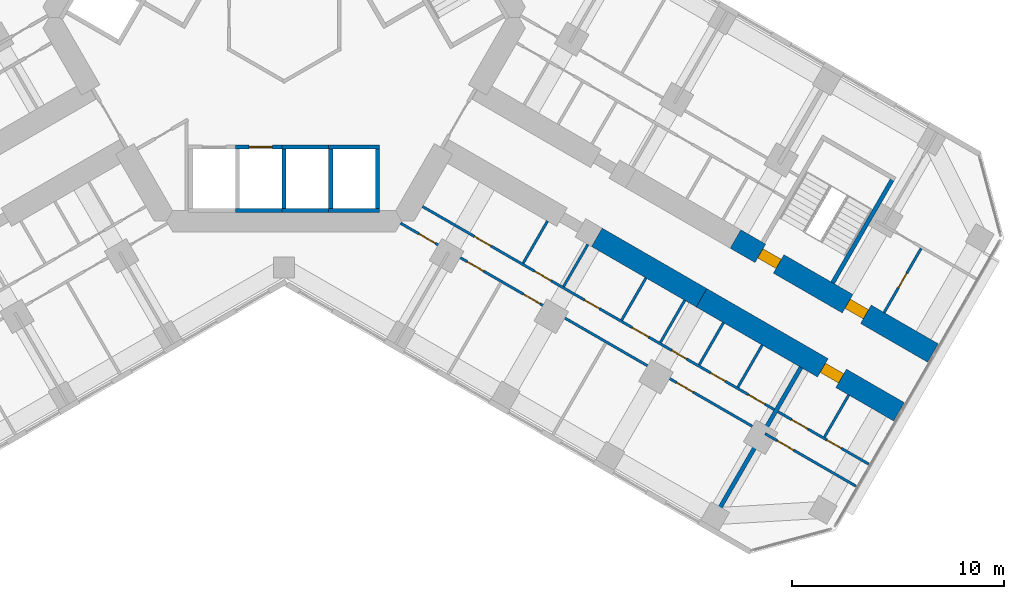
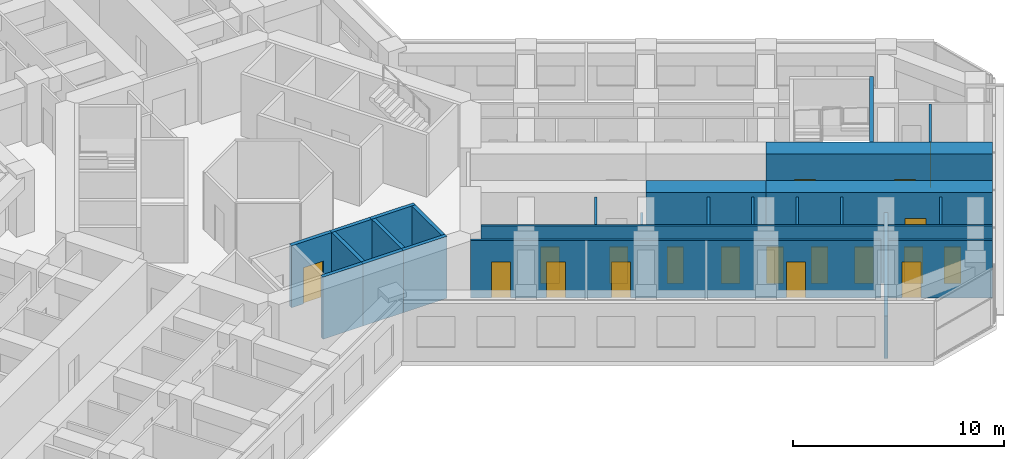
# One storey, part 14 of 21: 26 walls, 19 doors, 19 openings.
"""IFC4 building model written with IfcOpenShell, lengths in metres."""

from ifc_helpers import new_model, si_unit, direction, frame, frame_2d, origin, place, context, subcontext, project, spatial, rectangle, extrude, material, layer, layer_set, type_object, element, fill, save


model = new_model("IFC4")

# Units and contexts
model_context = context("Model", 3, precision=1e-05, world=origin(), true_north=direction((0.0, 1.0)))
body_context = subcontext(model_context, "Body", "Model", "MODEL_VIEW")
ifc_project = project(units=[si_unit("LENGTHUNIT", "METRE"), si_unit("AREAUNIT", "SQUARE_METRE"), si_unit("VOLUMEUNIT", "CUBIC_METRE"), si_unit("PLANEANGLEUNIT", "RADIAN"), si_unit("MASSUNIT", "GRAM", prefix="KILO")], contexts=[model_context])

# Site, building, storey
site_placement = place(None, origin())
site = spatial("IfcSite", under=ifc_project, at=site_placement, CompositionType="ELEMENT")
building_placement = place(site_placement, origin())
building = spatial("IfcBuilding", under=site, at=building_placement, Name="Kosmar Iwan School Tower", CompositionType="ELEMENT")
storey_placement = place(building_placement, frame((0.0, 0.0, 68.199951171875)))
storey = spatial("IfcBuildingStorey", under=building, at=storey_placement, Name="L16", CompositionType="ELEMENT", Elevation=68.199951171875)

# Wall, openings, doors
ifc_material_1 = material(Name="Concrete C50/60", Category="concrete")
ifc_layer_1 = layer(ifc_material_1, 1.0)
ifc_layer_set_1 = layer_set([ifc_layer_1], Name="Corridor buttress wall 1000")
wall_type_1 = type_object("IfcWallType", Name="Corridor buttress wall 1000", PredefinedType="SHEAR", material=ifc_layer_set_1)
wall_1_placement = place(storey_placement, frame((21.281494140625, -10.439453125, 0.0), z_axis=(0.0, 0.0, 1.0), x_axis=(0.866032345022, -0.499987977232, 0.0)))
wall_1 = element("IfcWall", 1, at=wall_1_placement, inside=storey, type_object=wall_type_1, Name="Corridor wall CL bay 3", PredefinedType="SHEAR", context=body_context, shape_type="SweptSolid", body=[
    extrude(rectangle(XDim=10.744873046875, YDim=1.0, at=frame_2d((5.37255859375, 0.0))), origin(), (0.0, 0.0, 1.0), 3.60009765625),
])
opening_1_placement = place(wall_1_placement, frame((6.10009765625, 0.0, 0.0)))
opening_1 = element("IfcOpeningElement", 2, at=opening_1_placement, cuts=wall_1, Name="Opening D1", PredefinedType="OPENING", context=body_context, shape_type="SweptSolid", body=[
    extrude(rectangle(XDim=1.0, YDim=2.10009765625, at=frame_2d((0.5, 1.050048828125))), frame((0.0, 0.511962890625, 0.0), z_axis=(0.0, -1.0, 0.0), x_axis=(1.0, 0.0, 0.0)), (0.0, 0.0, 1.0), 1.02392578125),
])
opening_2_placement = place(wall_1_placement, frame((1.35009765625, 0.0, 0.0)))
opening_2 = element("IfcOpeningElement", 3, at=opening_2_placement, cuts=wall_1, Name="Opening D6", PredefinedType="OPENING", context=body_context, shape_type="SweptSolid", body=[
    extrude(rectangle(XDim=1.0, YDim=2.10009765625, at=frame_2d((0.5, 1.050048828125))), frame((0.0, 0.511962890625, 0.0), z_axis=(0.0, -1.0, 0.0), x_axis=(1.0, 0.0, 0.0)), (0.0, 0.0, 1.0), 1.02392578125),
])
ifc_material_2 = material(Name="Timber fire door in steel frame", Category="steel")
door_type_1 = type_object("IfcDoorType", Name="Flat entrance door 1000x2100", OperationType="SINGLE_SWING_LEFT", PredefinedType="DOOR", material=ifc_material_2)
door_1_placement = place(opening_1_placement, origin())
door_1 = element("IfcDoor", 4, at=door_1_placement, inside=storey, type_object=door_type_1, Name="Flat L16-CL2 entrance door", OperationType="SINGLE_SWING_RIGHT", OverallHeight=2.10009765625, OverallWidth=1.0, PredefinedType="DOOR", context=body_context, shape_type="SweptSolid", body=[
    extrude(rectangle(XDim=1.0, YDim=2.10009765625, at=frame_2d((0.5, 1.050048828125))), frame((0.0, 0.25, 0.0), z_axis=(0.0, -1.0, 0.0), x_axis=(1.0, 0.0, 0.0)), (0.0, 0.0, 1.0), 0.5),
])
fill(opening_1, door_1)
ifc_material_3 = material(Name="Steel fire door", Category="steel")
door_type_2 = type_object("IfcDoorType", Name="Stair door 1000x2100", OperationType="SINGLE_SWING_LEFT", PredefinedType="DOOR", material=ifc_material_3)
door_2_placement = place(opening_2_placement, origin())
door_2 = element("IfcDoor", 5, at=door_2_placement, inside=storey, type_object=door_type_2, Name="Stair WS3 door L16", OperationType="SINGLE_SWING_LEFT", OverallHeight=2.10009765625, OverallWidth=1.0, PredefinedType="DOOR", context=body_context, shape_type="SweptSolid", body=[
    extrude(rectangle(XDim=1.0, YDim=2.10009765625, at=frame_2d((0.5, 1.050048828125))), frame((0.0, 0.25, 0.0), z_axis=(0.0, -1.0, 0.0), x_axis=(1.0, 0.0, 0.0)), (0.0, 0.0, 1.0), 0.5),
])
fill(opening_2, door_2)

# Wall
wall_2_placement = place(storey_placement, frame((14.7451171875, -10.360595703125, 0.0), z_axis=(0.0, 0.0, 1.0), x_axis=(0.866015111908, -0.50001782563, 0.0)))
element("IfcWall", 6, at=wall_2_placement, inside=storey, type_object=wall_type_1, Name="Corridor wall CR bay 2", PredefinedType="SHEAR", context=body_context, shape_type="SweptSolid", body=[
    extrude(rectangle(XDim=5.699951171875, YDim=1.0, at=frame_2d((2.85009765625, 0.0))), origin(), (0.0, 0.0, 1.0), 3.60009765625),
])

# Wall, opening, door
wall_3_placement = place(storey_placement, frame((19.681396484375, -13.210693359375, 0.0), z_axis=(0.0, 0.0, 1.0), x_axis=(0.866028186671, -0.499995179869, 0.0)))
wall_3 = element("IfcWall", 7, at=wall_3_placement, inside=storey, type_object=wall_type_1, Name="Corridor wall CR bay 3", PredefinedType="SHEAR", context=body_context, shape_type="SweptSolid", body=[
    extrude(rectangle(XDim=10.7451171875, YDim=1.0, at=frame_2d((5.37255859375, 0.0))), origin(), (0.0, 0.0, 1.0), 3.60009765625),
])
opening_3_placement = place(wall_3_placement, frame((6.60009765625, 0.0, 0.0)))
opening_3 = element("IfcOpeningElement", 8, at=opening_3_placement, cuts=wall_3, Name="Opening D1", PredefinedType="OPENING", context=body_context, shape_type="SweptSolid", body=[
    extrude(rectangle(XDim=1.0, YDim=2.10009765625, at=frame_2d((0.5, 1.050048828125))), frame((0.0, 0.511962890625, 0.0), z_axis=(0.0, -1.0, 0.0), x_axis=(1.0, 0.0, 0.0)), (0.0, 0.0, 1.0), 1.02392578125),
])
door_3_placement = place(opening_3_placement, origin())
door_3 = element("IfcDoor", 9, at=door_3_placement, inside=storey, type_object=door_type_1, Name="Flat L16-CR2 entrance door", OperationType="SINGLE_SWING_RIGHT", OverallHeight=2.10009765625, OverallWidth=1.0, PredefinedType="DOOR", context=body_context, shape_type="SweptSolid", body=[
    extrude(rectangle(XDim=1.0, YDim=2.10009765625, at=frame_2d((0.5, 1.050048828125))), frame((0.0, 0.25, 0.0), z_axis=(0.0, -1.0, 0.0), x_axis=(1.0, 0.0, 0.0)), (0.0, 0.0, 1.0), 0.5),
])
fill(opening_3, door_3)

ifc_material_4 = material(Name="Gypsum board on steel studs", Category="steel")
ifc_layer_2 = layer(ifc_material_4, 0.1201171875)
ifc_layer_set_2 = layer_set([ifc_layer_2], Name="Dwelling partition 120")
wall_type_2 = type_object("IfcWallType", Name="Dwelling partition 120", PredefinedType="PARTITIONING", material=ifc_layer_set_2)
wall_4_placement = place(storey_placement, frame((28.286376953125, -13.90625, 0.0), z_axis=(0.0, 0.0, 1.0), x_axis=(0.50002117804, 0.866013176292, 0.0)))
wall_4 = element("IfcWall", 10, at=wall_4_placement, inside=storey, type_object=wall_type_2, Name="Partition L16-CL2-TY", PredefinedType="PARTITIONING", context=body_context, shape_type="SweptSolid", body=[
    extrude(rectangle(XDim=3.489990234375, YDim=0.1201171875, at=frame_2d((1.7451171875, 0.0))), origin(), (0.0, 0.0, 1.0), 3.35009765625),
])
opening_4_placement = place(wall_4_placement, frame((1.344970703125, 0.0, 0.0)))
opening_4 = element("IfcOpeningElement", 11, at=opening_4_placement, cuts=wall_4, Name="Opening D3", PredefinedType="OPENING", context=body_context, shape_type="SweptSolid", body=[
    extrude(rectangle(XDim=0.800048828125, YDim=2.10009765625, at=frame_2d((0.39990234375, 1.050048828125))), frame((0.0, 0.072021484375, 0.0), z_axis=(0.0, -1.0, 0.0), x_axis=(1.0, 0.0, 0.0)), (0.0, 0.0, 1.0), 0.14404296875),
])
ifc_material_5 = material(Name="Timber door in timber frame", Category="wood")
door_type_3 = type_object("IfcDoorType", Name="Sanitary room door 800x2100", OperationType="SINGLE_SWING_LEFT", PredefinedType="DOOR", material=ifc_material_5)
door_4_placement = place(opening_4_placement, origin())
door_4 = element("IfcDoor", 12, at=door_4_placement, inside=storey, type_object=door_type_3, Name="Bathroom door L16-CL2-T4", OperationType="SINGLE_SWING_RIGHT", OverallHeight=2.10009765625, OverallWidth=0.800048828125, PredefinedType="DOOR", context=body_context, shape_type="SweptSolid", body=[
    extrude(rectangle(XDim=0.800048828125, YDim=2.10009765625, at=frame_2d((0.39990234375, 1.050048828125))), frame((0.0, 0.02490234375, 0.0), z_axis=(0.0, -1.0, 0.0), x_axis=(1.0, 0.0, 0.0)), (0.0, 0.0, 1.0), 0.050048828125),
])
fill(opening_4, door_4)

# Wall, openings, doors
wall_5_placement = place(storey_placement, frame((6.521728515625, -8.90380859375, 0.0), z_axis=(0.0, 0.0, 1.0), x_axis=(0.866027632837, -0.499996139147, 0.0)))
wall_5 = element("IfcWall", 13, at=wall_5_placement, inside=storey, type_object=wall_type_2, Name="Partition L16-CR1-W1", PredefinedType="PARTITIONING", context=body_context, shape_type="SweptSolid", body=[
    extrude(rectangle(XDim=19.150146484375, YDim=0.1201171875, at=frame_2d((9.5751953125, 0.0))), origin(), (0.0, 0.0, 1.0), 3.35009765625),
])
opening_5_placement = place(wall_5_placement, frame((2.824951171875, 0.0, 0.0)))
opening_5 = element("IfcOpeningElement", 14, at=opening_5_placement, cuts=wall_5, Name="Opening D2", PredefinedType="OPENING", context=body_context, shape_type="SweptSolid", body=[
    extrude(rectangle(XDim=0.89990234375, YDim=2.10009765625, at=frame_2d((0.449951171875, 1.050048828125))), frame((0.0, 0.072021484375, 0.0), z_axis=(0.0, -1.0, 0.0), x_axis=(1.0, 0.0, 0.0)), (0.0, 0.0, 1.0), 0.14404296875),
])
opening_6_placement = place(wall_5_placement, frame((6.10009765625, 0.0, 0.0)))
opening_6 = element("IfcOpeningElement", 15, at=opening_6_placement, cuts=wall_5, Name="Opening D2", PredefinedType="OPENING", context=body_context, shape_type="SweptSolid", body=[
    extrude(rectangle(XDim=0.89990234375, YDim=2.10009765625, at=frame_2d((0.449951171875, 1.050048828125))), frame((0.0, 0.072021484375, 0.0), z_axis=(0.0, -1.0, 0.0), x_axis=(1.0, 0.0, 0.0)), (0.0, 0.0, 1.0), 0.14404296875),
])
opening_7_placement = place(wall_5_placement, frame((8.831787109375, 0.0, 0.0)))
opening_7 = element("IfcOpeningElement", 16, at=opening_7_placement, cuts=wall_5, Name="Opening D3", PredefinedType="OPENING", context=body_context, shape_type="SweptSolid", body=[
    extrude(rectangle(XDim=0.800048828125, YDim=2.10009765625, at=frame_2d((0.39990234375, 1.050048828125))), frame((0.0, 0.072021484375, 0.0), z_axis=(0.0, -1.0, 0.0), x_axis=(1.0, 0.0, 0.0)), (0.0, 0.0, 1.0), 0.14404296875),
])
opening_8_placement = place(wall_5_placement, frame((11.418212890625, 0.0, 0.0)))
opening_8 = element("IfcOpeningElement", 17, at=opening_8_placement, cuts=wall_5, Name="Opening D2", PredefinedType="OPENING", context=body_context, shape_type="SweptSolid", body=[
    extrude(rectangle(XDim=0.89990234375, YDim=2.10009765625, at=frame_2d((0.449951171875, 1.050048828125))), frame((0.0, 0.072021484375, 0.0), z_axis=(0.0, -1.0, 0.0), x_axis=(1.0, 0.0, 0.0)), (0.0, 0.0, 1.0), 0.14404296875),
])
opening_9_placement = place(wall_5_placement, frame((13.577392578125, 0.0, 0.0)))
opening_9 = element("IfcOpeningElement", 18, at=opening_9_placement, cuts=wall_5, Name="Opening D3", PredefinedType="OPENING", context=body_context, shape_type="SweptSolid", body=[
    extrude(rectangle(XDim=0.800048828125, YDim=2.10009765625, at=frame_2d((0.39990234375, 1.050048828125))), frame((0.0, 0.072021484375, 0.0), z_axis=(0.0, -1.0, 0.0), x_axis=(1.0, 0.0, 0.0)), (0.0, 0.0, 1.0), 0.14404296875),
])
opening_10_placement = place(wall_5_placement, frame((15.686279296875, 0.0, 0.0)))
opening_10 = element("IfcOpeningElement", 19, at=opening_10_placement, cuts=wall_5, Name="Opening D3", PredefinedType="OPENING", context=body_context, shape_type="SweptSolid", body=[
    extrude(rectangle(XDim=0.800048828125, YDim=2.10009765625, at=frame_2d((0.39990234375, 1.050048828125))), frame((0.0, 0.072021484375, 0.0), z_axis=(0.0, -1.0, 0.0), x_axis=(1.0, 0.0, 0.0)), (0.0, 0.0, 1.0), 0.14404296875),
])
opening_11_placement = place(wall_5_placement, frame((17.745361328125, 0.0, 0.0)))
opening_11 = element("IfcOpeningElement", 20, at=opening_11_placement, cuts=wall_5, Name="Opening D2", PredefinedType="OPENING", context=body_context, shape_type="SweptSolid", body=[
    extrude(rectangle(XDim=0.89990234375, YDim=2.10009765625, at=frame_2d((0.449951171875, 1.050048828125))), frame((0.0, 0.072021484375, 0.0), z_axis=(0.0, -1.0, 0.0), x_axis=(1.0, 0.0, 0.0)), (0.0, 0.0, 1.0), 0.14404296875),
])
ifc_material_6 = material(Name="Timber door in timber frame", Category="wood")
door_type_4 = type_object("IfcDoorType", Name="Internal door 900x2100", OperationType="SINGLE_SWING_LEFT", PredefinedType="DOOR", material=ifc_material_6)
door_5_placement = place(opening_5_placement, origin())
door_5 = element("IfcDoor", 21, at=door_5_placement, inside=storey, type_object=door_type_4, Name="Utility room door L16-CR1-S1", OperationType="SINGLE_SWING_RIGHT", OverallHeight=2.10009765625, OverallWidth=0.89990234375, PredefinedType="DOOR", context=body_context, shape_type="SweptSolid", body=[
    extrude(rectangle(XDim=0.89990234375, YDim=2.10009765625, at=frame_2d((0.449951171875, 1.050048828125))), frame((0.0, 0.02490234375, 0.0), z_axis=(0.0, -1.0, 0.0), x_axis=(1.0, 0.0, 0.0)), (0.0, 0.0, 1.0), 0.050048828125),
])
fill(opening_5, door_5)
door_6_placement = place(opening_6_placement, origin())
door_6 = element("IfcDoor", 22, at=door_6_placement, inside=storey, type_object=door_type_4, Name="Entrance hall door L16-CR1-S2", OperationType="SINGLE_SWING_RIGHT", OverallHeight=2.10009765625, OverallWidth=0.89990234375, PredefinedType="DOOR", context=body_context, shape_type="SweptSolid", body=[
    extrude(rectangle(XDim=0.89990234375, YDim=2.10009765625, at=frame_2d((0.449951171875, 1.050048828125))), frame((0.0, 0.02490234375, 0.0), z_axis=(0.0, -1.0, 0.0), x_axis=(1.0, 0.0, 0.0)), (0.0, 0.0, 1.0), 0.050048828125),
])
fill(opening_6, door_6)
door_7_placement = place(opening_8_placement, origin())
door_7 = element("IfcDoor", 23, at=door_7_placement, inside=storey, type_object=door_type_4, Name="Pantry door L16-CR1-S4", OperationType="SINGLE_SWING_RIGHT", OverallHeight=2.10009765625, OverallWidth=0.89990234375, PredefinedType="DOOR", context=body_context, shape_type="SweptSolid", body=[
    extrude(rectangle(XDim=0.89990234375, YDim=2.10009765625, at=frame_2d((0.449951171875, 1.050048828125))), frame((0.0, 0.02490234375, 0.0), z_axis=(0.0, -1.0, 0.0), x_axis=(1.0, 0.0, 0.0)), (0.0, 0.0, 1.0), 0.050048828125),
])
fill(opening_8, door_7)
door_8_placement = place(opening_11_placement, origin())
door_8 = element("IfcDoor", 24, at=door_8_placement, inside=storey, type_object=door_type_4, Name="Dressing room door L16-CR1-S7", OperationType="SINGLE_SWING_RIGHT", OverallHeight=2.10009765625, OverallWidth=0.89990234375, PredefinedType="DOOR", context=body_context, shape_type="SweptSolid", body=[
    extrude(rectangle(XDim=0.89990234375, YDim=2.10009765625, at=frame_2d((0.449951171875, 1.050048828125))), frame((0.0, 0.02490234375, 0.0), z_axis=(0.0, -1.0, 0.0), x_axis=(1.0, 0.0, 0.0)), (0.0, 0.0, 1.0), 0.050048828125),
])
fill(opening_11, door_8)
door_9_placement = place(opening_7_placement, origin())
door_9 = element("IfcDoor", 25, at=door_9_placement, inside=storey, type_object=door_type_3, Name="Bathroom door L16-CR1-S3", OperationType="SINGLE_SWING_LEFT", OverallHeight=2.10009765625, OverallWidth=0.800048828125, PredefinedType="DOOR", context=body_context, shape_type="SweptSolid", body=[
    extrude(rectangle(XDim=0.800048828125, YDim=2.10009765625, at=frame_2d((0.39990234375, 1.050048828125))), frame((0.0, 0.02490234375, 0.0), z_axis=(0.0, -1.0, 0.0), x_axis=(1.0, 0.0, 0.0)), (0.0, 0.0, 1.0), 0.050048828125),
])
fill(opening_7, door_9)
door_10_placement = place(opening_9_placement, origin())
door_10 = element("IfcDoor", 26, at=door_10_placement, inside=storey, type_object=door_type_3, Name="WC door L16-CR1-S5", OperationType="SINGLE_SWING_LEFT", OverallHeight=2.10009765625, OverallWidth=0.800048828125, PredefinedType="DOOR", context=body_context, shape_type="SweptSolid", body=[
    extrude(rectangle(XDim=0.800048828125, YDim=2.10009765625, at=frame_2d((0.39990234375, 1.050048828125))), frame((0.0, 0.02490234375, 0.0), z_axis=(0.0, -1.0, 0.0), x_axis=(1.0, 0.0, 0.0)), (0.0, 0.0, 1.0), 0.050048828125),
])
fill(opening_9, door_10)
door_11_placement = place(opening_10_placement, origin())
door_11 = element("IfcDoor", 27, at=door_11_placement, inside=storey, type_object=door_type_3, Name="Store door L16-CR1-S6", OperationType="SINGLE_SWING_RIGHT", OverallHeight=2.10009765625, OverallWidth=0.800048828125, PredefinedType="DOOR", context=body_context, shape_type="SweptSolid", body=[
    extrude(rectangle(XDim=0.800048828125, YDim=2.10009765625, at=frame_2d((0.39990234375, 1.050048828125))), frame((0.0, 0.02490234375, 0.0), z_axis=(0.0, -1.0, 0.0), x_axis=(1.0, 0.0, 0.0)), (0.0, 0.0, 1.0), 0.050048828125),
])
fill(opening_10, door_11)

wall_6_placement = place(storey_placement, frame((5.48876953125, -9.693115234375, 0.0), z_axis=(0.0, 0.0, 1.0), x_axis=(0.866024837091, -0.50000098154, 0.0)))
wall_6 = element("IfcWall", 28, at=wall_6_placement, inside=storey, type_object=wall_type_2, Name="Partition L16-CR1-W2", PredefinedType="PARTITIONING", context=body_context, shape_type="SweptSolid", body=[
    extrude(rectangle(XDim=19.5, YDim=0.1201171875, at=frame_2d((9.75, 0.0))), origin(), (0.0, 0.0, 1.0), 3.35009765625),
])
opening_12_placement = place(wall_6_placement, frame((1.0, 0.0, 0.0)))
opening_12 = element("IfcOpeningElement", 29, at=opening_12_placement, cuts=wall_6, Name="Opening D2", PredefinedType="OPENING", context=body_context, shape_type="SweptSolid", body=[
    extrude(rectangle(XDim=0.89990234375, YDim=2.10009765625, at=frame_2d((0.449951171875, 1.050048828125))), frame((0.0, 0.072021484375, 0.0), z_axis=(0.0, -1.0, 0.0), x_axis=(1.0, 0.0, 0.0)), (0.0, 0.0, 1.0), 0.14404296875),
])
opening_13_placement = place(wall_6_placement, frame((3.625, 0.0, 0.0)))
opening_13 = element("IfcOpeningElement", 30, at=opening_13_placement, cuts=wall_6, Name="Opening D2", PredefinedType="OPENING", context=body_context, shape_type="SweptSolid", body=[
    extrude(rectangle(XDim=0.89990234375, YDim=2.10009765625, at=frame_2d((0.449951171875, 1.050048828125))), frame((0.0, 0.072021484375, 0.0), z_axis=(0.0, -1.0, 0.0), x_axis=(1.0, 0.0, 0.0)), (0.0, 0.0, 1.0), 0.14404296875),
])
opening_14_placement = place(wall_6_placement, frame((6.699951171875, 0.0, 0.0)))
opening_14 = element("IfcOpeningElement", 31, at=opening_14_placement, cuts=wall_6, Name="Opening D2", PredefinedType="OPENING", context=body_context, shape_type="SweptSolid", body=[
    extrude(rectangle(XDim=0.89990234375, YDim=2.10009765625, at=frame_2d((0.449951171875, 1.050048828125))), frame((0.0, 0.072021484375, 0.0), z_axis=(0.0, -1.0, 0.0), x_axis=(1.0, 0.0, 0.0)), (0.0, 0.0, 1.0), 0.14404296875),
])
opening_15_placement = place(wall_6_placement, frame((15.02490234375, 0.0, 0.0)))
opening_15 = element("IfcOpeningElement", 32, at=opening_15_placement, cuts=wall_6, Name="Opening D2", PredefinedType="OPENING", context=body_context, shape_type="SweptSolid", body=[
    extrude(rectangle(XDim=0.89990234375, YDim=2.10009765625, at=frame_2d((0.449951171875, 1.050048828125))), frame((0.0, 0.072021484375, 0.0), z_axis=(0.0, -1.0, 0.0), x_axis=(1.0, 0.0, 0.0)), (0.0, 0.0, 1.0), 0.14404296875),
])
door_12_placement = place(opening_12_placement, origin())
door_12 = element("IfcDoor", 33, at=door_12_placement, inside=storey, type_object=door_type_4, Name="Family room door L16-CR1-F1", OperationType="SINGLE_SWING_LEFT", OverallHeight=2.10009765625, OverallWidth=0.89990234375, PredefinedType="DOOR", context=body_context, shape_type="SweptSolid", body=[
    extrude(rectangle(XDim=0.89990234375, YDim=2.10009765625, at=frame_2d((0.449951171875, 1.050048828125))), frame((0.0, 0.02490234375, 0.0), z_axis=(0.0, -1.0, 0.0), x_axis=(1.0, 0.0, 0.0)), (0.0, 0.0, 1.0), 0.050048828125),
])
fill(opening_12, door_12)
door_13_placement = place(opening_13_placement, origin())
door_13 = element("IfcDoor", 34, at=door_13_placement, inside=storey, type_object=door_type_4, Name="Study door L16-CR1-F2", OperationType="SINGLE_SWING_LEFT", OverallHeight=2.10009765625, OverallWidth=0.89990234375, PredefinedType="DOOR", context=body_context, shape_type="SweptSolid", body=[
    extrude(rectangle(XDim=0.89990234375, YDim=2.10009765625, at=frame_2d((0.449951171875, 1.050048828125))), frame((0.0, 0.02490234375, 0.0), z_axis=(0.0, -1.0, 0.0), x_axis=(1.0, 0.0, 0.0)), (0.0, 0.0, 1.0), 0.050048828125),
])
fill(opening_13, door_13)
door_14_placement = place(opening_14_placement, origin())
door_14 = element("IfcDoor", 35, at=door_14_placement, inside=storey, type_object=door_type_4, Name="Bedroom 1 door L16-CR1-F3", OperationType="SINGLE_SWING_LEFT", OverallHeight=2.10009765625, OverallWidth=0.89990234375, PredefinedType="DOOR", context=body_context, shape_type="SweptSolid", body=[
    extrude(rectangle(XDim=0.89990234375, YDim=2.10009765625, at=frame_2d((0.449951171875, 1.050048828125))), frame((0.0, 0.02490234375, 0.0), z_axis=(0.0, -1.0, 0.0), x_axis=(1.0, 0.0, 0.0)), (0.0, 0.0, 1.0), 0.050048828125),
])
fill(opening_14, door_14)
door_15_placement = place(opening_15_placement, origin())
door_15 = element("IfcDoor", 36, at=door_15_placement, inside=storey, type_object=door_type_4, Name="Living room and kitchen door L16-CR1-F4", OperationType="SINGLE_SWING_RIGHT", OverallHeight=2.10009765625, OverallWidth=0.89990234375, PredefinedType="DOOR", context=body_context, shape_type="SweptSolid", body=[
    extrude(rectangle(XDim=0.89990234375, YDim=2.10009765625, at=frame_2d((0.449951171875, 1.050048828125))), frame((0.0, 0.02490234375, 0.0), z_axis=(0.0, -1.0, 0.0), x_axis=(1.0, 0.0, 0.0)), (0.0, 0.0, 1.0), 0.050048828125),
])
fill(opening_15, door_15)

# Walls
wall_7_placement = place(storey_placement, frame((12.416748046875, -9.59375, 0.0), z_axis=(0.0, 0.0, 1.0), x_axis=(-0.500014693593, -0.866016920268, 0.0)))
element("IfcWall", 37, at=wall_7_placement, inside=storey, type_object=wall_type_2, Name="Partition L16-CR1-Y1", PredefinedType="PARTITIONING", context=body_context, shape_type="SweptSolid", body=[
    extrude(rectangle(XDim=2.2900390625, YDim=0.1201171875, at=frame_2d((1.14501953125, 0.0))), origin(), (0.0, 0.0, 1.0), 3.35009765625),
])
wall_8_placement = place(storey_placement, frame((14.322021484375, -10.693603515625, 0.0), z_axis=(0.0, 0.0, 1.0), x_axis=(-0.500014693593, -0.866016920268, 0.0)))
element("IfcWall", 38, at=wall_8_placement, inside=storey, type_object=wall_type_2, Name="Partition L16-CR1-Y2", PredefinedType="PARTITIONING", context=body_context, shape_type="SweptSolid", body=[
    extrude(rectangle(XDim=2.2900390625, YDim=0.1201171875, at=frame_2d((1.14501953125, 0.0))), origin(), (0.0, 0.0, 1.0), 2.449951171875),
])
wall_9_placement = place(storey_placement, frame((17.061767578125, -12.275390625, 0.0), z_axis=(0.0, 0.0, 1.0), x_axis=(-0.499968531483, -0.866043571379, 0.0)))
element("IfcWall", 39, at=wall_9_placement, inside=storey, type_object=wall_type_2, Name="Partition L16-CR1-Y3", PredefinedType="PARTITIONING", context=body_context, shape_type="SweptSolid", body=[
    extrude(rectangle(XDim=2.290283203125, YDim=0.1201171875, at=frame_2d((1.14501953125, 0.0))), origin(), (0.0, 0.0, 1.0), 3.35009765625),
])
for number, where, z_axis, x_axis, name in (
    (40, (18.88818359375, -13.330078125, 0.0), (0.0, 0.0, 1.0), (-0.500014693593, -0.866016920268, 0.0), "Partition L16-CR1-Y4"),
    (41, (20.71484375, -14.384521484375, 0.0), (0.0, 0.0, 1.0), (-0.500014693593, -0.866016920268, 0.0), "Partition L16-CR1-Y5"),
    (42, (22.541259765625, -15.439208984375, 0.0), (0.0, 0.0, 1.0), (-0.500014693593, -0.866016920268, 0.0), "Partition L16-CR1-Y6"),
):
    element("IfcWall", number, at=place(storey_placement, frame(where, z_axis=z_axis, x_axis=x_axis)), inside=storey, type_object=wall_type_2, Name=name, PredefinedType="PARTITIONING", context=body_context, shape_type="SweptSolid", body=[
        extrude(rectangle(XDim=2.2900390625, YDim=0.1201171875, at=frame_2d((1.14501953125, 0.0))), origin(), (0.0, 0.0, 1.0), 3.35009765625),
    ])

# Wall, openings, doors
wall_10_placement = place(storey_placement, frame((23.279541015625, -18.578857421875, 0.0), z_axis=(0.0, 0.0, 1.0), x_axis=(0.866031840221, -0.4999888516, 0.0)))
wall_10 = element("IfcWall", 43, at=wall_10_placement, inside=storey, type_object=wall_type_2, Name="Partition L16-CR2-W1", PredefinedType="PARTITIONING", context=body_context, shape_type="SweptSolid", body=[
    extrude(rectangle(XDim=4.94482421875, YDim=0.1201171875, at=frame_2d((2.472412109375, 0.0))), origin(), (0.0, 0.0, 1.0), 3.35009765625),
])
opening_16_placement = place(wall_10_placement, frame((0.75, 0.0, 0.0)))
opening_16 = element("IfcOpeningElement", 44, at=opening_16_placement, cuts=wall_10, Name="Opening D2", PredefinedType="OPENING", context=body_context, shape_type="SweptSolid", body=[
    extrude(rectangle(XDim=0.89990234375, YDim=2.10009765625, at=frame_2d((0.449951171875, 1.050048828125))), frame((0.0, 0.072021484375, 0.0), z_axis=(0.0, -1.0, 0.0), x_axis=(1.0, 0.0, 0.0)), (0.0, 0.0, 1.0), 0.14404296875),
])
opening_17_placement = place(wall_10_placement, frame((2.659912109375, 0.0, 0.0)))
opening_17 = element("IfcOpeningElement", 45, at=opening_17_placement, cuts=wall_10, Name="Opening D3", PredefinedType="OPENING", context=body_context, shape_type="SweptSolid", body=[
    extrude(rectangle(XDim=0.800048828125, YDim=2.10009765625, at=frame_2d((0.39990234375, 1.050048828125))), frame((0.0, 0.072021484375, 0.0), z_axis=(0.0, -1.0, 0.0), x_axis=(1.0, 0.0, 0.0)), (0.0, 0.0, 1.0), 0.14404296875),
])
door_16_placement = place(opening_16_placement, origin())
door_16 = element("IfcDoor", 46, at=door_16_placement, inside=storey, type_object=door_type_4, Name="Entrance hall door L16-CR2-S1", OperationType="SINGLE_SWING_LEFT", OverallHeight=2.10009765625, OverallWidth=0.89990234375, PredefinedType="DOOR", context=body_context, shape_type="SweptSolid", body=[
    extrude(rectangle(XDim=0.89990234375, YDim=2.10009765625, at=frame_2d((0.449951171875, 1.050048828125))), frame((0.0, 0.02490234375, 0.0), z_axis=(0.0, -1.0, 0.0), x_axis=(1.0, 0.0, 0.0)), (0.0, 0.0, 1.0), 0.050048828125),
])
fill(opening_16, door_16)
door_17_placement = place(opening_17_placement, origin())
door_17 = element("IfcDoor", 47, at=door_17_placement, inside=storey, type_object=door_type_3, Name="Bathroom door L16-CR2-S2", OperationType="SINGLE_SWING_LEFT", OverallHeight=2.10009765625, OverallWidth=0.800048828125, PredefinedType="DOOR", context=body_context, shape_type="SweptSolid", body=[
    extrude(rectangle(XDim=0.800048828125, YDim=2.10009765625, at=frame_2d((0.39990234375, 1.050048828125))), frame((0.0, 0.02490234375, 0.0), z_axis=(0.0, -1.0, 0.0), x_axis=(1.0, 0.0, 0.0)), (0.0, 0.0, 1.0), 0.050048828125),
])
fill(opening_17, door_17)

# Wall, opening, door
wall_11_placement = place(storey_placement, frame((22.679443359375, -19.6181640625, 0.0), z_axis=(0.0, 0.0, 1.0), x_axis=(0.866031840221, -0.4999888516, 0.0)))
wall_11 = element("IfcWall", 48, at=wall_11_placement, inside=storey, type_object=wall_type_2, Name="Partition L16-CR2-W2", PredefinedType="PARTITIONING", context=body_context, shape_type="SweptSolid", body=[
    extrude(rectangle(XDim=4.94482421875, YDim=0.1201171875, at=frame_2d((2.472412109375, 0.0))), origin(), (0.0, 0.0, 1.0), 3.35009765625),
])
opening_18_placement = place(wall_11_placement, frame((0.64990234375, 0.0, 0.0)))
opening_18 = element("IfcOpeningElement", 49, at=opening_18_placement, cuts=wall_11, Name="Opening D2", PredefinedType="OPENING", context=body_context, shape_type="SweptSolid", body=[
    extrude(rectangle(XDim=0.89990234375, YDim=2.10009765625, at=frame_2d((0.449951171875, 1.050048828125))), frame((0.0, 0.072021484375, 0.0), z_axis=(0.0, -1.0, 0.0), x_axis=(1.0, 0.0, 0.0)), (0.0, 0.0, 1.0), 0.14404296875),
])
door_18_placement = place(opening_18_placement, origin())
door_18 = element("IfcDoor", 50, at=door_18_placement, inside=storey, type_object=door_type_4, Name="Studio living room and kitchen door L16-CR2-F1", OperationType="SINGLE_SWING_LEFT", OverallHeight=2.10009765625, OverallWidth=0.89990234375, PredefinedType="DOOR", context=body_context, shape_type="SweptSolid", body=[
    extrude(rectangle(XDim=0.89990234375, YDim=2.10009765625, at=frame_2d((0.449951171875, 1.050048828125))), frame((0.0, 0.02490234375, 0.0), z_axis=(0.0, -1.0, 0.0), x_axis=(1.0, 0.0, 0.0)), (0.0, 0.0, 1.0), 0.050048828125),
])
fill(opening_18, door_18)

# Walls
wall_12_placement = place(storey_placement, frame((26.61962890625, -17.793701171875, 0.0), z_axis=(0.0, 0.0, 1.0), x_axis=(-0.500014693593, -0.866016920268, 0.0)))
element("IfcWall", 51, at=wall_12_placement, inside=storey, type_object=wall_type_2, Name="Partition L16-CR2-Y1", PredefinedType="PARTITIONING", context=body_context, shape_type="SweptSolid", body=[
    extrude(rectangle(XDim=2.2900390625, YDim=0.1201171875, at=frame_2d((1.14501953125, 0.0))), origin(), (0.0, 0.0, 1.0), 3.35009765625),
])
ifc_material_7 = material(Name="Concrete C35/45", Category="concrete")
ifc_layer_3 = layer(ifc_material_7, 0.199951171875)
ifc_layer_set_3 = layer_set([ifc_layer_3], Name="Escape stair wall 200")
wall_type_3 = type_object("IfcWallType", Name="Escape stair wall 200", PredefinedType="SHEAR", material=ifc_layer_set_3)
wall_13_placement = place(storey_placement, frame((25.861572265625, -12.50634765625, 0.0), z_axis=(0.0, 0.0, 1.0), x_axis=(0.500018801468, 0.86601454848, 0.0)))
element("IfcWall", 52, at=wall_13_placement, inside=storey, type_object=wall_type_3, Name="Stair WS3 wall", PredefinedType="SHEAR", context=body_context, shape_type="SweptSolid", body=[
    extrude(rectangle(XDim=5.800048828125, YDim=0.199951171875, at=frame_2d((2.89990234375, 0.0))), origin(), (0.0, 0.0, 1.0), 3.330078125),
])

# Wall, opening, door
ifc_material_8 = material(Name="Concrete C50/60", Category="concrete")
ifc_layer_4 = layer(ifc_material_8, 0.199951171875)
ifc_layer_set_4 = layer_set([ifc_layer_4], Name="Lift shaft wall 200")
wall_type_4 = type_object("IfcWallType", Name="Lift shaft wall 200", PredefinedType="SHEAR", material=ifc_layer_set_4)
wall_14_placement = place(storey_placement, frame((-2.300048828125, -6.10009765625, 0.0), z_axis=(0.0, 0.0, 1.0), x_axis=(1.0, 0.0, 0.0)))
wall_14 = element("IfcWall", 53, at=wall_14_placement, inside=storey, type_object=wall_type_4, Name="Lift and stair front wall BC", PredefinedType="SHEAR", context=body_context, shape_type="SweptSolid", body=[
    extrude(rectangle(XDim=2.199951171875, YDim=0.199951171875, at=frame_2d((1.10009765625, 0.0))), origin(), (0.0, 0.0, 1.0), 3.60009765625),
])
opening_19_placement = place(wall_14_placement, frame((0.64990234375, 0.0, 0.0)))
opening_19 = element("IfcOpeningElement", 54, at=opening_19_placement, cuts=wall_14, Name="Opening LD1", PredefinedType="OPENING", context=body_context, shape_type="SweptSolid", body=[
    extrude(rectangle(XDim=1.10009765625, YDim=2.10009765625, at=frame_2d((0.550048828125, 1.050048828125))), frame((0.0, 0.112060546875, 0.0), z_axis=(0.0, -1.0, 0.0), x_axis=(1.0, 0.0, 0.0)), (0.0, 0.0, 1.0), 0.223876953125),
])
ifc_material_9 = material(Name="Stainless steel sliding lift door", Category="steel")
door_type_5 = type_object("IfcDoorType", Name="Lift landing door 1100x2100", OperationType="SLIDING_TO_LEFT", PredefinedType="DOOR", material=ifc_material_9)
door_19_placement = place(opening_19_placement, origin())
door_19 = element("IfcDoor", 55, at=door_19_placement, inside=storey, type_object=door_type_5, Name="Lift PL2 landing door L16", OperationType="SLIDING_TO_LEFT", OverallHeight=2.10009765625, OverallWidth=1.10009765625, PredefinedType="DOOR", context=body_context, shape_type="SweptSolid", body=[
    extrude(rectangle(XDim=1.10009765625, YDim=2.10009765625, at=frame_2d((0.550048828125, 1.050048828125))), frame((0.0, 0.02490234375, 0.0), z_axis=(0.0, -1.0, 0.0), x_axis=(1.0, 0.0, 0.0)), (0.0, 0.0, 1.0), 0.050048828125),
])
fill(opening_19, door_19)

# Walls
wall_15_placement = place(storey_placement, frame((-2.300048828125, -9.10009765625, 0.0), z_axis=(0.0, 0.0, 1.0), x_axis=(1.0, 0.0, 0.0)))
element("IfcWall", 56, at=wall_15_placement, inside=storey, type_object=wall_type_4, Name="Lift and stair back wall BC", PredefinedType="SHEAR", context=body_context, shape_type="SweptSolid", body=[
    extrude(rectangle(XDim=2.199951171875, YDim=0.199951171875, at=frame_2d((1.10009765625, 0.0))), origin(), (0.0, 0.0, 1.0), 3.60009765625),
])
for number, where, z_axis, x_axis, name in (
    (57, (-0.10009765625, -6.10009765625, 0.0), (0.0, 0.0, 1.0), (1.0, 0.0, 0.0), "Lift and stair front wall BC"),
    (58, (-0.10009765625, -9.10009765625, 0.0), (0.0, 0.0, 1.0), (1.0, 0.0, 0.0), "Lift and stair back wall BC"),
):
    element("IfcWall", number, at=place(storey_placement, frame(where, z_axis=z_axis, x_axis=x_axis)), inside=storey, type_object=wall_type_4, Name=name, PredefinedType="SHEAR", context=body_context, shape_type="SweptSolid", body=[
        extrude(rectangle(XDim=2.2001953125, YDim=0.199951171875, at=frame_2d((1.10009765625, 0.0))), origin(), (0.0, 0.0, 1.0), 3.60009765625),
    ])
for number, where, z_axis, x_axis, name in (
    (59, (2.10009765625, -6.10009765625, 0.0), (0.0, 0.0, 1.0), (1.0, 0.0, 0.0), "Lift and stair front wall BC"),
    (60, (2.10009765625, -9.10009765625, 0.0), (0.0, 0.0, 1.0), (1.0, 0.0, 0.0), "Lift and stair back wall BC"),
):
    element("IfcWall", number, at=place(storey_placement, frame(where, z_axis=z_axis, x_axis=x_axis)), inside=storey, type_object=wall_type_4, Name=name, PredefinedType="SHEAR", context=body_context, shape_type="SweptSolid", body=[
        extrude(rectangle(XDim=2.39990234375, YDim=0.199951171875, at=frame_2d((1.199951171875, 0.0))), origin(), (0.0, 0.0, 1.0), 3.60009765625),
    ])
for number, where, z_axis, x_axis, name in (
    (61, (0.0, -6.199951171875, 0.0), (0.0, 0.0, 1.0), (0.0, -1.0, 0.0), "Lift shaft wall BC 2"),
    (62, (2.199951171875, -6.199951171875, 0.0), (0.0, 0.0, 1.0), (0.0, -1.0, 0.0), "Lift shaft wall BC 3"),
    (63, (4.39990234375, -6.199951171875, 0.0), (0.0, 0.0, 1.0), (0.0, -1.0, 0.0), "Lift shaft wall BC 4"),
):
    element("IfcWall", number, at=place(storey_placement, frame(where, z_axis=z_axis, x_axis=x_axis)), inside=storey, type_object=wall_type_4, Name=name, PredefinedType="SHEAR", context=body_context, shape_type="SweptSolid", body=[
        extrude(rectangle(XDim=2.800048828125, YDim=0.199951171875, at=frame_2d((1.39990234375, 0.0))), origin(), (0.0, 0.0, 1.0), 3.60009765625),
    ])
ifc_material_10 = material(Name="Concrete block masonry", Category="masonry")
ifc_layer_5 = layer(ifc_material_10, 0.199951171875)
ifc_layer_set_5 = layer_set([ifc_layer_5], Name="Party wall 200")
wall_type_5 = type_object("IfcWallType", Name="Party wall 200", PredefinedType="PARTITIONING", material=ifc_layer_set_5)
wall_16_placement = place(storey_placement, frame((24.367919921875, -16.49365234375, 0.0), z_axis=(0.0, 0.0, 1.0), x_axis=(-0.500007509209, -0.866021068297, 0.0)))
element("IfcWall", 64, at=wall_16_placement, inside=storey, type_object=wall_type_5, Name="Partition L16-CR2-PW", PredefinedType="PARTITIONING", context=body_context, shape_type="SweptSolid", body=[
    extrude(rectangle(XDim=8.599853515625, YDim=0.199951171875, at=frame_2d((4.2998046875, 0.0))), origin(), (0.0, 0.0, 1.0), 2.449951171875),
])

save(model, "model.ifc")
